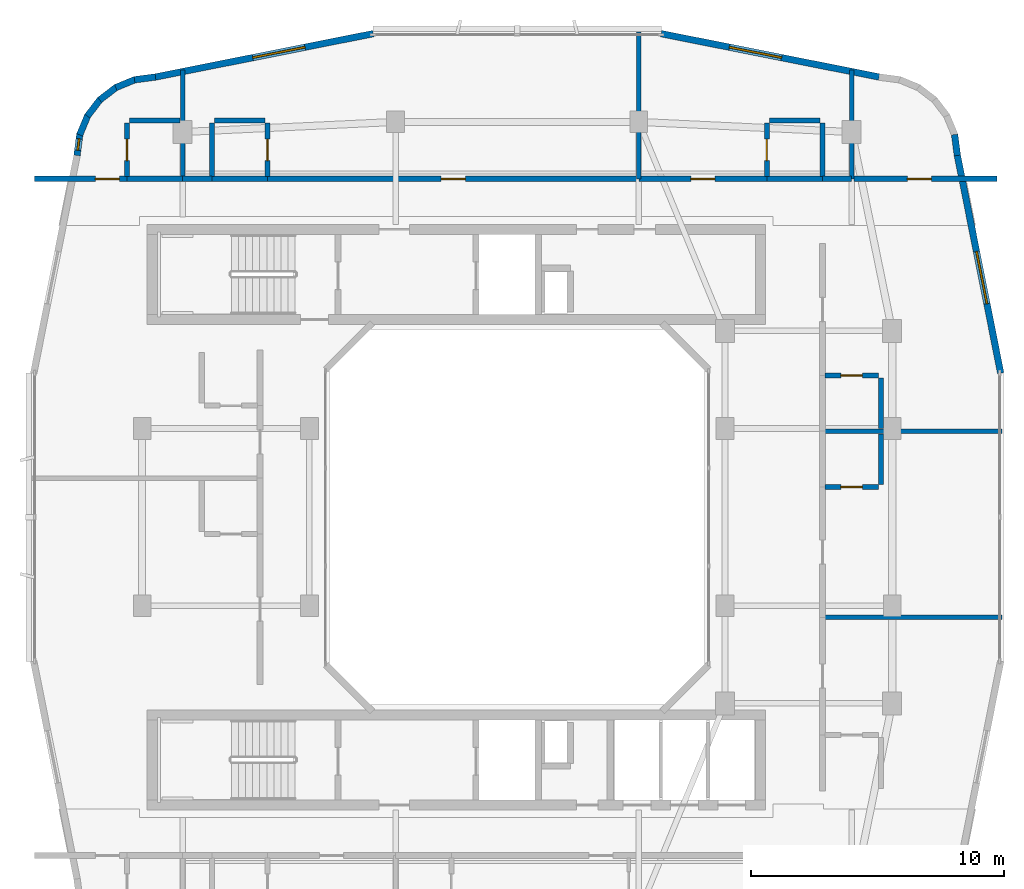
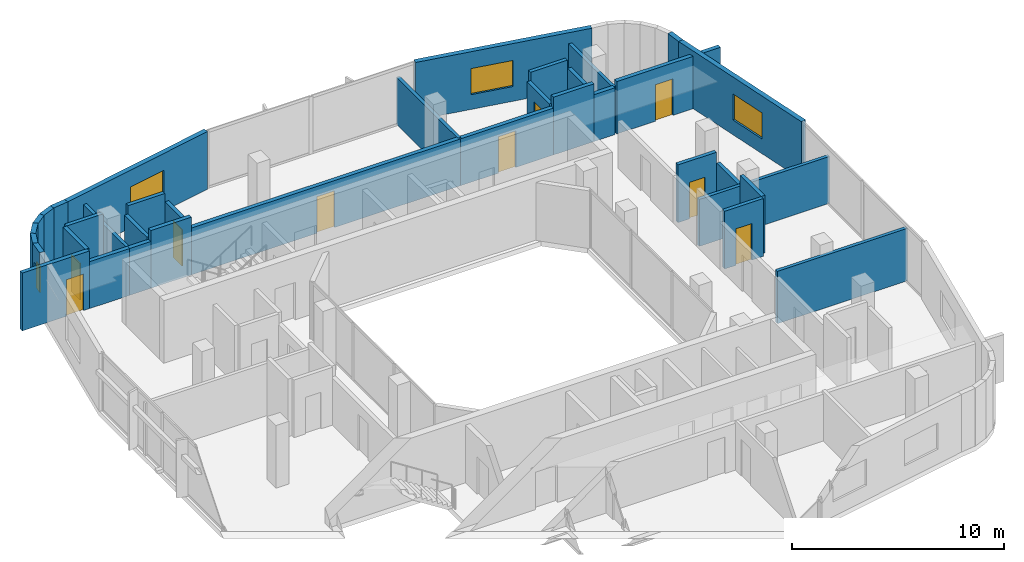
# One storey, part 9 of 14: 36 walls, 9 doors, 4 windows, 13 openings.
"""IFC4 building model written with IfcOpenShell, lengths in metres."""

from ifc_helpers import new_model, si_unit, derived_unit, direction, frame, frame_2d, origin, place, context, subcontext, project, spatial, rectangle, extrude, material, layer, layer_set, type_object, element, fill, save


model = new_model("IFC4")

# Units and contexts
model_context = context("Model", 3, precision=1e-05, world=origin(), true_north=direction((0.0, 1.0)))
body_context = subcontext(model_context, "Body", "Model", "MODEL_VIEW")
ifc_project = project(units=[si_unit("LENGTHUNIT", "METRE"), si_unit("AREAUNIT", "SQUARE_METRE"), si_unit("VOLUMEUNIT", "CUBIC_METRE"), si_unit("PLANEANGLEUNIT", "RADIAN"), si_unit("MASSUNIT", "GRAM", prefix="KILO"), derived_unit("THERMALTRANSMITTANCEUNIT", [(si_unit("POWERUNIT", "WATT"), 1), (si_unit("LENGTHUNIT", "METRE"), -2), (si_unit("THERMODYNAMICTEMPERATUREUNIT", "KELVIN"), -1)])], contexts=[model_context])

# Site, building, storey
site_placement = place(None, origin())
site = spatial("IfcSite", under=ifc_project, at=site_placement, CompositionType="ELEMENT")
building_placement = place(site_placement, origin())
building = spatial("IfcBuilding", under=site, at=building_placement, Name="Kivonza Crest Hotel", CompositionType="ELEMENT")
storey_placement = place(building_placement, frame((0.0, 0.0, 202.699951171875)))
storey = spatial("IfcBuildingStorey", under=building, at=storey_placement, Name="L55", CompositionType="ELEMENT", Elevation=202.699951171875)

# Walls
ifc_material_1 = material(Name="High-density acoustic masonry inter-tenancy wall", Category="masonry")
ifc_layer_1 = layer(ifc_material_1, 0.179931640625)
ifc_layer_set_1 = layer_set([ifc_layer_1], Name="High-density acoustic masonry inter-tenancy wall")
wall_type_1 = type_object("IfcWallType", Name="WL-ACOU-180", PredefinedType="SOLIDWALL", material=ifc_layer_set_1)
wall_1_placement = place(storey_placement, frame((7.800048828125, 38.35009765625, 0.0), z_axis=(0.0, 0.0, 1.0), x_axis=(0.0, 1.0, 0.0)))
element("IfcWall", 1, at=wall_1_placement, inside=storey, type_object=wall_type_1, Name="L55 interior partition WA-L55-T1N-DIV1", PredefinedType="SOLIDWALL", context=body_context, shape_type="SweptSolid", body=[
    extrude(rectangle(XDim=4.307861328125, YDim=0.179931640625, at=frame_2d((2.15380859375, 0.0))), origin(), (0.0, 0.0, 1.0), 2.695068359375),
])
wall_2_placement = place(storey_placement, frame((25.800048828125, 38.35009765625, 0.0), z_axis=(0.0, 0.0, 1.0), x_axis=(0.0, 1.0, 0.0)))
element("IfcWall", 2, at=wall_2_placement, inside=storey, type_object=wall_type_1, Name="L55 interior partition WA-L55-T1N-DIV2", PredefinedType="SOLIDWALL", context=body_context, shape_type="SweptSolid", body=[
    extrude(rectangle(XDim=5.789794921875, YDim=0.179931640625, at=frame_2d((2.89501953125, 0.0))), origin(), (0.0, 0.0, 1.0), 2.695068359375),
])
wall_3_placement = place(storey_placement, frame((34.199951171875, 38.35009765625, 0.0), z_axis=(0.0, 0.0, 1.0), x_axis=(0.0, 1.0, 0.0)))
element("IfcWall", 3, at=wall_3_placement, inside=storey, type_object=wall_type_1, Name="L55 interior partition WA-L55-T1N-DIV3", PredefinedType="SOLIDWALL", context=body_context, shape_type="SweptSolid", body=[
    extrude(rectangle(XDim=4.307861328125, YDim=0.179931640625, at=frame_2d((2.15380859375, 0.0))), origin(), (0.0, 0.0, 1.0), 2.695068359375),
])
wall_4_placement = place(storey_placement, frame((33.050048828125, 21.049072265625, 0.0), z_axis=(0.0, 0.0, 1.0), x_axis=(1.0, 0.0, 0.0)))
element("IfcWall", 4, at=wall_4_placement, inside=storey, type_object=wall_type_1, Name="L55 interior partition WA-L55-T1E-DIV1", PredefinedType="SOLIDWALL", context=body_context, shape_type="SweptSolid", body=[
    extrude(rectangle(XDim=7.08984375, YDim=0.179931640625, at=frame_2d((3.544921875, 0.0))), origin(), (0.0, 0.0, 1.0), 3.01513671875),
])
wall_5_placement = place(storey_placement, frame((33.050048828125, 28.39306640625, 0.0), z_axis=(0.0, 0.0, 1.0), x_axis=(1.0, 0.0, 0.0)))
element("IfcWall", 5, at=wall_5_placement, inside=storey, type_object=wall_type_1, Name="L55 interior partition WA-L55-T1E-DIV2", PredefinedType="SOLIDWALL", context=body_context, shape_type="SweptSolid", body=[
    extrude(rectangle(XDim=7.08984375, YDim=0.179931640625, at=frame_2d((3.544921875, 0.0))), origin(), (0.0, 0.0, 1.0), 2.695068359375),
])
ifc_material_2 = material(Name="Autoclaved aerated concrete blockwork", Category="masonry")
ifc_layer_2 = layer(ifc_material_2, 0.219970703125)
ifc_layer_set_2 = layer_set([ifc_layer_2], Name="Autoclaved aerated concrete blockwork")
wall_type_2 = type_object("IfcWallType", Name="WL-ACOU-220", PredefinedType="SOLIDWALL", material=ifc_layer_set_2)
wall_6_placement = place(storey_placement, frame((5.60009765625, 38.35009765625, 0.0), z_axis=(0.0, 0.0, 1.0), x_axis=(1.0, 0.0, 0.0)))
element("IfcWall", 6, at=wall_6_placement, inside=storey, type_object=wall_type_2, Name="L55 interior partition WA-L55-N01-BCORR", PredefinedType="SOLIDWALL", context=body_context, shape_type="SweptSolid", body=[
    extrude(rectangle(XDim=2.199951171875, YDim=0.219970703125, at=frame_2d((1.10009765625, 0.0))), origin(), (0.0, 0.0, 1.0), 2.695068359375),
])

# Wall, opening, door
wall_7_placement = place(storey_placement, frame((1.9599609375, 38.35009765625, 0.0), z_axis=(0.0, 0.0, 1.0), x_axis=(1.0, 0.0, 0.0)))
wall_7 = element("IfcWall", 7, at=wall_7_placement, inside=storey, type_object=wall_type_2, Name="L55 interior partition WA-L55-N01-MCORR", PredefinedType="SOLIDWALL", context=body_context, shape_type="SweptSolid", body=[
    extrude(rectangle(XDim=3.64013671875, YDim=0.219970703125, at=frame_2d((1.820068359375, 0.0))), origin(), (0.0, 0.0, 1.0), 3.320068359375),
])
opening_1_placement = place(wall_7_placement, frame((2.389892578125, 0.0, 0.0)))
opening_1 = element("IfcOpeningElement", 8, at=opening_1_placement, cuts=wall_7, Name="Opening DU-60", PredefinedType="OPENING", context=body_context, shape_type="SweptSolid", body=[
    extrude(rectangle(XDim=0.949951171875, YDim=2.10009765625, at=frame_2d((0.47509765625, 1.050048828125))), frame((0.0, 0.1201171875, 0.0), z_axis=(0.0, -1.0, 0.0), x_axis=(1.0, 0.0, 0.0)), (0.0, 0.0, 1.0), 0.239990234375),
])
ifc_material_3 = material(Name="Hardwood timber oak", Category="wood")
door_type_1 = type_object("IfcDoorType", Name="DR-UNIT-950", OperationType="NOTDEFINED", PredefinedType="DOOR", material=ifc_material_3)
door_1_placement = place(opening_1_placement, origin())
door_1 = element("IfcDoor", 9, at=door_1_placement, inside=storey, type_object=door_type_1, Name="L55 N01 guest unit entrance fire door", OperationType="SINGLE_SWING_LEFT", OverallHeight=2.10009765625, OverallWidth=0.949951171875, PredefinedType="DOOR", context=body_context, shape_type="SweptSolid", body=[
    extrude(rectangle(XDim=0.949951171875, YDim=2.10009765625, at=frame_2d((0.47509765625, 1.050048828125))), frame((0.0, 0.02490234375, 0.0), z_axis=(0.0, -1.0, 0.0), x_axis=(1.0, 0.0, 0.0)), (0.0, 0.0, 1.0), 0.050048828125),
])
fill(opening_1, door_1)

# Walls
wall_8_placement = place(storey_placement, frame((7.800048828125, 38.35009765625, 0.0), z_axis=(0.0, 0.0, 1.0), x_axis=(1.0, 0.0, 0.0)))
element("IfcWall", 10, at=wall_8_placement, inside=storey, type_object=wall_type_2, Name="L55 interior partition WA-L55-N02-XCORR", PredefinedType="SOLIDWALL", context=body_context, shape_type="SweptSolid", body=[
    extrude(rectangle(XDim=1.14990234375, YDim=0.219970703125, at=frame_2d((0.574951171875, 0.0))), origin(), (0.0, 0.0, 1.0), 2.695068359375),
])
wall_9_placement = place(storey_placement, frame((8.949951171875, 38.35009765625, 0.0), z_axis=(0.0, 0.0, 1.0), x_axis=(1.0, 0.0, 0.0)))
element("IfcWall", 11, at=wall_9_placement, inside=storey, type_object=wall_type_2, Name="L55 interior partition WA-L55-N02-BCORR", PredefinedType="SOLIDWALL", context=body_context, shape_type="SweptSolid", body=[
    extrude(rectangle(XDim=2.199951171875, YDim=0.219970703125, at=frame_2d((1.10009765625, 0.0))), origin(), (0.0, 0.0, 1.0), 3.320068359375),
])

# Wall, opening, door
wall_10_placement = place(storey_placement, frame((11.14990234375, 38.35009765625, 0.0), z_axis=(0.0, 0.0, 1.0), x_axis=(1.0, 0.0, 0.0)))
wall_10 = element("IfcWall", 12, at=wall_10_placement, inside=storey, type_object=wall_type_2, Name="L55 interior partition WA-L55-N02-MCORR", PredefinedType="SOLIDWALL", context=body_context, shape_type="SweptSolid", body=[
    extrude(rectangle(XDim=14.650146484375, YDim=0.219970703125, at=frame_2d((7.3251953125, 0.0))), origin(), (0.0, 0.0, 1.0), 2.695068359375),
])
opening_2_placement = place(wall_10_placement, frame((6.85009765625, 0.0, 0.0)))
opening_2 = element("IfcOpeningElement", 13, at=opening_2_placement, cuts=wall_10, Name="Opening DU-60", PredefinedType="OPENING", context=body_context, shape_type="SweptSolid", body=[
    extrude(rectangle(XDim=0.949951171875, YDim=2.10009765625, at=frame_2d((0.47509765625, 1.050048828125))), frame((0.0, 0.1201171875, 0.0), z_axis=(0.0, -1.0, 0.0), x_axis=(1.0, 0.0, 0.0)), (0.0, 0.0, 1.0), 0.239990234375),
])
door_2_placement = place(opening_2_placement, origin())
door_2 = element("IfcDoor", 14, at=door_2_placement, inside=storey, type_object=door_type_1, Name="L55 N02 guest unit entrance fire door", OperationType="SINGLE_SWING_RIGHT", OverallHeight=2.10009765625, OverallWidth=0.949951171875, PredefinedType="DOOR", context=body_context, shape_type="SweptSolid", body=[
    extrude(rectangle(XDim=0.949951171875, YDim=2.10009765625, at=frame_2d((0.47509765625, 1.050048828125))), frame((0.0, 0.02490234375, 0.0), z_axis=(0.0, -1.0, 0.0), x_axis=(1.0, 0.0, 0.0)), (0.0, 0.0, 1.0), 0.050048828125),
])
fill(opening_2, door_2)

# Walls
wall_11_placement = place(storey_placement, frame((33.050048828125, 38.35009765625, 0.0), z_axis=(0.0, 0.0, 1.0), x_axis=(1.0, 0.0, 0.0)))
element("IfcWall", 15, at=wall_11_placement, inside=storey, type_object=wall_type_2, Name="L55 interior partition WA-L55-N03-XCORR", PredefinedType="SOLIDWALL", context=body_context, shape_type="SweptSolid", body=[
    extrude(rectangle(XDim=1.14990234375, YDim=0.219970703125, at=frame_2d((0.574951171875, 0.0))), origin(), (0.0, 0.0, 1.0), 2.695068359375),
])
wall_12_placement = place(storey_placement, frame((30.85009765625, 38.35009765625, 0.0), z_axis=(0.0, 0.0, 1.0), x_axis=(1.0, 0.0, 0.0)))
element("IfcWall", 16, at=wall_12_placement, inside=storey, type_object=wall_type_2, Name="L55 interior partition WA-L55-N03-BCORR", PredefinedType="SOLIDWALL", context=body_context, shape_type="SweptSolid", body=[
    extrude(rectangle(XDim=2.199951171875, YDim=0.219970703125, at=frame_2d((1.10009765625, 0.0))), origin(), (0.0, 0.0, 1.0), 3.320068359375),
])

# Wall, opening, door
wall_13_placement = place(storey_placement, frame((25.800048828125, 38.35009765625, 0.0), z_axis=(0.0, 0.0, 1.0), x_axis=(1.0, 0.0, 0.0)))
wall_13 = element("IfcWall", 17, at=wall_13_placement, inside=storey, type_object=wall_type_2, Name="L55 interior partition WA-L55-N03-MCORR", PredefinedType="SOLIDWALL", context=body_context, shape_type="SweptSolid", body=[
    extrude(rectangle(XDim=5.050048828125, YDim=0.219970703125, at=frame_2d((2.52490234375, 0.0))), origin(), (0.0, 0.0, 1.0), 2.695068359375),
])
opening_3_placement = place(wall_13_placement, frame((2.050048828125, 0.0, 0.0)))
opening_3 = element("IfcOpeningElement", 18, at=opening_3_placement, cuts=wall_13, Name="Opening DU-60", PredefinedType="OPENING", context=body_context, shape_type="SweptSolid", body=[
    extrude(rectangle(XDim=0.949951171875, YDim=2.10009765625, at=frame_2d((0.47509765625, 1.050048828125))), frame((0.0, 0.1201171875, 0.0), z_axis=(0.0, -1.0, 0.0), x_axis=(1.0, 0.0, 0.0)), (0.0, 0.0, 1.0), 0.239990234375),
])
door_3_placement = place(opening_3_placement, origin())
door_3 = element("IfcDoor", 19, at=door_3_placement, inside=storey, type_object=door_type_1, Name="L55 N03 guest unit entrance fire door", OperationType="SINGLE_SWING_LEFT", OverallHeight=2.10009765625, OverallWidth=0.949951171875, PredefinedType="DOOR", context=body_context, shape_type="SweptSolid", body=[
    extrude(rectangle(XDim=0.949951171875, YDim=2.10009765625, at=frame_2d((0.47509765625, 1.050048828125))), frame((0.0, 0.02490234375, 0.0), z_axis=(0.0, -1.0, 0.0), x_axis=(1.0, 0.0, 0.0)), (0.0, 0.0, 1.0), 0.050048828125),
])
fill(opening_3, door_3)

wall_14_placement = place(storey_placement, frame((34.300048828125, 38.35009765625, 0.0), z_axis=(0.0, 0.0, 1.0), x_axis=(1.0, 0.0, 0.0)))
wall_14 = element("IfcWall", 20, at=wall_14_placement, inside=storey, type_object=wall_type_2, Name="L55 interior partition WA-L55-N-AMEN-S", PredefinedType="SOLIDWALL", context=body_context, shape_type="SweptSolid", body=[
    extrude(rectangle(XDim=5.639892578125, YDim=0.219970703125, at=frame_2d((2.81982421875, 0.0))), origin(), (0.0, 0.0, 1.0), 3.01513671875),
])
opening_4_placement = place(wall_14_placement, frame((2.10009765625, 0.0, 0.0)))
opening_4 = element("IfcOpeningElement", 21, at=opening_4_placement, cuts=wall_14, Name="Opening DF-60S", PredefinedType="OPENING", context=body_context, shape_type="SweptSolid", body=[
    extrude(rectangle(XDim=0.949951171875, YDim=2.10009765625, at=frame_2d((0.47509765625, 1.050048828125))), frame((0.0, 0.1201171875, 0.0), z_axis=(0.0, -1.0, 0.0), x_axis=(1.0, 0.0, 0.0)), (0.0, 0.0, 1.0), 0.239990234375),
])
door_type_2 = type_object("IfcDoorType", Name="DR-FD60-950", OperationType="NOTDEFINED", PredefinedType="DOOR", material=ifc_material_3)
door_4_placement = place(opening_4_placement, origin())
door_4 = element("IfcDoor", 22, at=door_4_placement, inside=storey, type_object=door_type_2, Name="L55 Guest Business Office door", OperationType="SINGLE_SWING_LEFT", OverallHeight=2.10009765625, OverallWidth=0.949951171875, PredefinedType="DOOR", context=body_context, shape_type="SweptSolid", body=[
    extrude(rectangle(XDim=0.949951171875, YDim=2.10009765625, at=frame_2d((0.47509765625, 1.050048828125))), frame((0.0, 0.02490234375, 0.0), z_axis=(0.0, -1.0, 0.0), x_axis=(1.0, 0.0, 0.0)), (0.0, 0.0, 1.0), 0.050048828125),
])
fill(opening_4, door_4)

# Wall, opening, window
ifc_material_4 = material(Name="Precast concrete C40/50", Category="concrete")
ifc_layer_3 = layer(ifc_material_4, 0.260009765625)
ifc_layer_set_3 = layer_set([ifc_layer_3], Name="Precast concrete C40/50")
wall_type_3 = type_object("IfcWallType", Name="WL-EXT-260", PredefinedType="STANDARD", material=ifc_layer_set_3)
wall_15_placement = place(storey_placement, frame((40.083984375, 30.680908203125, 0.0), z_axis=(0.0, 0.0, 1.0), x_axis=(-0.195291715883, 0.980745199176, 0.0)))
wall_15 = element("IfcWall", 23, at=wall_15_placement, inside=storey, type_object=wall_type_3, Name="L55 T1 exterior insulated wall 18", PredefinedType="STANDARD", context=body_context, shape_type="SweptSolid", body=[
    extrude(rectangle(XDim=8.77099609375, YDim=0.260009765625, at=frame_2d((4.385498046875, 0.0))), origin(), (0.0, 0.0, 1.0), 3.320068359375),
])
opening_5_placement = place(wall_15_placement, frame((2.798095703125, 0.0, 0.85009765625)))
opening_5 = element("IfcOpeningElement", 24, at=opening_5_placement, cuts=wall_15, Name="Opening WN-04", PredefinedType="OPENING", context=body_context, shape_type="SweptSolid", body=[
    extrude(rectangle(XDim=2.10009765625, YDim=1.5, at=frame_2d((1.050048828125, 0.75))), frame((0.0, 0.14013671875, 0.0), z_axis=(0.0, -1.0, 0.0), x_axis=(1.0, 0.0, 0.0)), (0.0, 0.0, 1.0), 0.280029296875),
])
ifc_material_5 = material(Name="Thermally broken bronze aluminium and low-E double glazing", Category="aluminium")
window_type_1 = type_object("IfcWindowType", Name="WN-210x150", PartitioningType="DOUBLE_PANEL_VERTICAL", PredefinedType="WINDOW", material=ifc_material_5)
window_1_placement = place(opening_5_placement, origin())
window_1 = element("IfcWindow", 25, at=window_1_placement, inside=storey, type_object=window_type_1, Name="L55 T1 facade window 18", OverallHeight=1.5, OverallWidth=2.10009765625, PartitioningType="SINGLE_PANEL", PredefinedType="WINDOW", context=body_context, shape_type="SweptSolid", body=[
    extrude(rectangle(XDim=2.10009765625, YDim=1.5, at=frame_2d((1.050048828125, 0.75))), frame((0.0, 0.030029296875, 0.0), z_axis=(0.0, -1.0, 0.0), x_axis=(1.0, 0.0, 0.0)), (0.0, 0.0, 1.0), 0.06005859375),
])
fill(opening_5, window_1)

# Wall
wall_16_placement = place(storey_placement, frame((38.3720703125, 39.27490234375, 0.0), z_axis=(0.0, 0.0, 1.0), x_axis=(-0.130954667764, 0.9913883573, 0.0)))
element("IfcWall", 26, at=wall_16_placement, inside=storey, type_object=wall_type_3, Name="L55 T1 exterior insulated wall 19", PredefinedType="STANDARD", context=body_context, shape_type="SweptSolid", body=[
    extrude(rectangle(XDim=0.833251953125, YDim=0.260009765625, at=frame_2d((0.41650390625, 0.0))), origin(), (0.0, 0.0, 1.0), 3.320068359375),
])

# Wall, opening, window
wall_17_placement = place(storey_placement, frame((35.282958984375, 42.37109375, 0.0), z_axis=(0.0, 0.0, 1.0), x_axis=(-0.980745199176, 0.195291715883, 0.0)))
wall_17 = element("IfcWall", 27, at=wall_17_placement, inside=storey, type_object=wall_type_3, Name="L55 T1 exterior insulated wall 25", PredefinedType="STANDARD", context=body_context, shape_type="SweptSolid", body=[
    extrude(rectangle(XDim=8.77099609375, YDim=0.260009765625, at=frame_2d((4.385498046875, 0.0))), origin(), (0.0, 0.0, 1.0), 3.320068359375),
])
opening_6_placement = place(wall_17_placement, frame((3.925048828125, 0.0, 0.85009765625)))
opening_6 = element("IfcOpeningElement", 28, at=opening_6_placement, cuts=wall_17, Name="Opening WN-04", PredefinedType="OPENING", context=body_context, shape_type="SweptSolid", body=[
    extrude(rectangle(XDim=2.10009765625, YDim=1.5, at=frame_2d((1.050048828125, 0.75))), frame((0.0, 0.14013671875, 0.0), z_axis=(0.0, -1.0, 0.0), x_axis=(1.0, 0.0, 0.0)), (0.0, 0.0, 1.0), 0.280029296875),
])
window_2_placement = place(opening_6_placement, origin())
window_2 = element("IfcWindow", 29, at=window_2_placement, inside=storey, type_object=window_type_1, Name="L55 T1 facade window 25", OverallHeight=1.5, OverallWidth=2.10009765625, PartitioningType="SINGLE_PANEL", PredefinedType="WINDOW", context=body_context, shape_type="SweptSolid", body=[
    extrude(rectangle(XDim=2.10009765625, YDim=1.5, at=frame_2d((1.050048828125, 0.75))), frame((0.0, 0.030029296875, 0.0), z_axis=(0.0, -1.0, 0.0), x_axis=(1.0, 0.0, 0.0)), (0.0, 0.0, 1.0), 0.06005859375),
])
fill(opening_6, window_2)

wall_18_placement = place(storey_placement, frame((15.319091796875, 44.083984375, 0.0), z_axis=(0.0, 0.0, 1.0), x_axis=(-0.980745199176, -0.195291715883, 0.0)))
wall_18 = element("IfcWall", 30, at=wall_18_placement, inside=storey, type_object=wall_type_3, Name="L55 T1 exterior insulated wall 27", PredefinedType="STANDARD", context=body_context, shape_type="SweptSolid", body=[
    extrude(rectangle(XDim=8.77099609375, YDim=0.260009765625, at=frame_2d((4.385498046875, 0.0))), origin(), (0.0, 0.0, 1.0), 3.320068359375),
])
opening_7_placement = place(wall_18_placement, frame((2.74609375, 0.0, 0.85009765625)))
opening_7 = element("IfcOpeningElement", 31, at=opening_7_placement, cuts=wall_18, Name="Opening WN-04", PredefinedType="OPENING", context=body_context, shape_type="SweptSolid", body=[
    extrude(rectangle(XDim=2.10009765625, YDim=1.5, at=frame_2d((1.050048828125, 0.75))), frame((0.0, 0.14013671875, 0.0), z_axis=(0.0, -1.0, 0.0), x_axis=(1.0, 0.0, 0.0)), (0.0, 0.0, 1.0), 0.280029296875),
])
window_3_placement = place(opening_7_placement, origin())
window_3 = element("IfcWindow", 32, at=window_3_placement, inside=storey, type_object=window_type_1, Name="L55 T1 facade window 27", OverallHeight=1.5, OverallWidth=2.10009765625, PartitioningType="SINGLE_PANEL", PredefinedType="WINDOW", context=body_context, shape_type="SweptSolid", body=[
    extrude(rectangle(XDim=2.10009765625, YDim=1.5, at=frame_2d((1.050048828125, 0.75))), frame((0.0, 0.030029296875, 0.0), z_axis=(0.0, -1.0, 0.0), x_axis=(1.0, 0.0, 0.0)), (0.0, 0.0, 1.0), 0.06005859375),
])
fill(opening_7, window_3)

# Walls
wall_19_placement = place(storey_placement, frame((6.72509765625, 42.3720703125, 0.0), z_axis=(0.0, 0.0, 1.0), x_axis=(-0.9913883573, -0.130954667764, 0.0)))
element("IfcWall", 33, at=wall_19_placement, inside=storey, type_object=wall_type_3, Name="L55 T1 exterior insulated wall 28", PredefinedType="STANDARD", context=body_context, shape_type="SweptSolid", body=[
    extrude(rectangle(XDim=0.833251953125, YDim=0.260009765625, at=frame_2d((0.41650390625, 0.0))), origin(), (0.0, 0.0, 1.0), 3.320068359375),
])
wall_20_placement = place(storey_placement, frame((5.945068359375, 42.281005859375, 0.0), z_axis=(0.0, 0.0, 1.0), x_axis=(-0.923754491172, -0.382985169477, 0.0)))
element("IfcWall", 34, at=wall_20_placement, inside=storey, type_object=wall_type_3, Name="L55 T1 exterior insulated wall 29", PredefinedType="STANDARD", context=body_context, shape_type="SweptSolid", body=[
    extrude(rectangle(XDim=0.85107421875, YDim=0.260009765625, at=frame_2d((0.425537109375, 0.0))), origin(), (0.0, 0.0, 1.0), 3.320068359375),
])
for number, where, z_axis, x_axis, name in (
    (35, (5.198974609375, 41.98291015625, 0.0), (0.0, 0.0, 1.0), (-0.793999057278, -0.607918988881, 0.0), "L55 T1 exterior insulated wall 30"),
    (36, (4.554931640625, 41.50390625, 0.0), (0.0, 0.0, 1.0), (-0.608057619941, -0.793892896323, 0.0), "L55 T1 exterior insulated wall 31"),
):
    element("IfcWall", number, at=place(storey_placement, frame(where, z_axis=z_axis, x_axis=x_axis)), inside=storey, type_object=wall_type_3, Name=name, PredefinedType="STANDARD", context=body_context, shape_type="SweptSolid", body=[
        extrude(rectangle(XDim=0.85009765625, YDim=0.260009765625, at=frame_2d((0.425048828125, 0.0))), origin(), (0.0, 0.0, 1.0), 3.320068359375),
    ])
wall_21_placement = place(storey_placement, frame((4.05908203125, 40.873046875, 0.0), z_axis=(0.0, 0.0, 1.0), x_axis=(-0.383229930484, -0.923652976167, 0.0)))
element("IfcWall", 37, at=wall_21_placement, inside=storey, type_object=wall_type_3, Name="L55 T1 exterior insulated wall 32", PredefinedType="STANDARD", context=body_context, shape_type="SweptSolid", body=[
    extrude(rectangle(XDim=0.85107421875, YDim=0.260009765625, at=frame_2d((0.425537109375, 0.0))), origin(), (0.0, 0.0, 1.0), 3.320068359375),
])

# Wall, opening, window
wall_22_placement = place(storey_placement, frame((3.740966796875, 40.135986328125, 0.0), z_axis=(0.0, 0.0, 1.0), x_axis=(-0.130156359936, -0.991493480548, 0.0)))
wall_22 = element("IfcWall", 38, at=wall_22_placement, inside=storey, type_object=wall_type_3, Name="L55 T1 exterior insulated wall 33", PredefinedType="STANDARD", context=body_context, shape_type="SweptSolid", body=[
    extrude(rectangle(XDim=0.868408203125, YDim=0.260009765625, at=frame_2d((0.43408203125, 0.0))), origin(), (0.0, 0.0, 1.0), 3.320068359375),
])
opening_8_placement = place(wall_22_placement, frame((0.208984375, 0.0, 0.85009765625)))
opening_8 = element("IfcOpeningElement", 39, at=opening_8_placement, cuts=wall_22, Name="Opening WN-11", PredefinedType="OPENING", context=body_context, shape_type="SweptSolid", body=[
    extrude(rectangle(XDim=0.449951171875, YDim=1.5, at=frame_2d((0.22509765625, 0.75))), frame((0.0, 0.14013671875, 0.0), z_axis=(0.0, -1.0, 0.0), x_axis=(1.0, 0.0, 0.0)), (0.0, 0.0, 1.0), 0.280029296875),
])
window_type_2 = type_object("IfcWindowType", Name="WN-045x150", PartitioningType="SINGLE_PANEL", PredefinedType="WINDOW", material=ifc_material_5)
window_4_placement = place(opening_8_placement, origin())
window_4 = element("IfcWindow", 40, at=window_4_placement, inside=storey, type_object=window_type_2, Name="L55 corner vision window 1", OverallHeight=1.5, OverallWidth=0.449951171875, PartitioningType="SINGLE_PANEL", PredefinedType="WINDOW", context=body_context, shape_type="SweptSolid", body=[
    extrude(rectangle(XDim=0.449951171875, YDim=1.5, at=frame_2d((0.22509765625, 0.75))), frame((0.0, 0.030029296875, 0.0), z_axis=(0.0, -1.0, 0.0), x_axis=(1.0, 0.0, 0.0)), (0.0, 0.0, 1.0), 0.06005859375),
])
fill(opening_8, window_4)

# Wall, opening, door
ifc_material_6 = material(Name="Moisture-resistant plumbing chase partition wall", Category="gypsum")
ifc_layer_4 = layer(ifc_material_6, 0.199951171875)
ifc_layer_set_4 = layer_set([ifc_layer_4], Name="Moisture-resistant plumbing chase partition wall")
wall_type_4 = type_object("IfcWallType", Name="WL-PLUMB-200", PredefinedType="PLUMBINGWALL", material=ifc_layer_set_4)
wall_23_placement = place(storey_placement, frame((5.60009765625, 38.449951171875, 0.0), z_axis=(0.0, 0.0, 1.0), x_axis=(0.0, 1.0, 0.0)))
wall_23 = element("IfcWall", 41, at=wall_23_placement, inside=storey, type_object=wall_type_4, Name="L55 interior partition WW-L55-N01-BV", PredefinedType="PLUMBINGWALL", context=body_context, shape_type="SweptSolid", body=[
    extrude(rectangle(XDim=2.10009765625, YDim=0.199951171875, at=frame_2d((1.050048828125, 0.0))), origin(), (0.0, 0.0, 1.0), 3.320068359375),
])
opening_9_placement = place(wall_23_placement, frame((0.625, 0.0, 0.0)))
opening_9 = element("IfcOpeningElement", 42, at=opening_9_placement, cuts=wall_23, Name="Opening DI-85", PredefinedType="OPENING", context=body_context, shape_type="SweptSolid", body=[
    extrude(rectangle(XDim=0.85009765625, YDim=2.10009765625, at=frame_2d((0.425048828125, 1.050048828125))), frame((0.0, 0.10986328125, 0.0), z_axis=(0.0, -1.0, 0.0), x_axis=(1.0, 0.0, 0.0)), (0.0, 0.0, 1.0), 0.219970703125),
])
door_type_3 = type_object("IfcDoorType", Name="DR-INT-850", OperationType="NOTDEFINED", PredefinedType="DOOR", material=ifc_material_3)
door_5_placement = place(opening_9_placement, origin())
door_5 = element("IfcDoor", 43, at=door_5_placement, inside=storey, type_object=door_type_3, Name="L55 N01 en-suite bathroom door", OperationType="SINGLE_SWING_RIGHT", OverallHeight=2.10009765625, OverallWidth=0.85009765625, PredefinedType="DOOR", context=body_context, shape_type="SweptSolid", body=[
    extrude(rectangle(XDim=0.85009765625, YDim=2.10009765625, at=frame_2d((0.425048828125, 1.050048828125))), frame((0.0, 0.02490234375, 0.0), z_axis=(0.0, -1.0, 0.0), x_axis=(1.0, 0.0, 0.0)), (0.0, 0.0, 1.0), 0.050048828125),
])
fill(opening_9, door_5)

# Wall
wall_24_placement = place(storey_placement, frame((5.699951171875, 40.64990234375, 0.0), z_axis=(0.0, 0.0, 1.0), x_axis=(1.0, 0.0, 0.0)))
element("IfcWall", 44, at=wall_24_placement, inside=storey, type_object=wall_type_4, Name="L55 interior partition WW-L55-N01-BH", PredefinedType="PLUMBINGWALL", context=body_context, shape_type="SweptSolid", body=[
    extrude(rectangle(XDim=2.0, YDim=0.199951171875, at=frame_2d((1.0, 0.0))), origin(), (0.0, 0.0, 1.0), 3.320068359375),
])

# Wall, opening, door
wall_25_placement = place(storey_placement, frame((11.14990234375, 38.449951171875, 0.0), z_axis=(0.0, 0.0, 1.0), x_axis=(0.0, 1.0, 0.0)))
wall_25 = element("IfcWall", 45, at=wall_25_placement, inside=storey, type_object=wall_type_4, Name="L55 interior partition WW-L55-N02-BV", PredefinedType="PLUMBINGWALL", context=body_context, shape_type="SweptSolid", body=[
    extrude(rectangle(XDim=2.10009765625, YDim=0.199951171875, at=frame_2d((1.050048828125, 0.0))), origin(), (0.0, 0.0, 1.0), 2.844970703125),
])
opening_10_placement = place(wall_25_placement, frame((0.625, 0.0, 0.0)))
opening_10 = element("IfcOpeningElement", 46, at=opening_10_placement, cuts=wall_25, Name="Opening DI-85", PredefinedType="OPENING", context=body_context, shape_type="SweptSolid", body=[
    extrude(rectangle(XDim=0.85009765625, YDim=2.10009765625, at=frame_2d((0.425048828125, 1.050048828125))), frame((0.0, 0.10986328125, 0.0), z_axis=(0.0, -1.0, 0.0), x_axis=(1.0, 0.0, 0.0)), (0.0, 0.0, 1.0), 0.219970703125),
])
door_6_placement = place(opening_10_placement, frame((0.85009765625, 0.0, 0.0), z_axis=(0.0, 0.0, 1.0), x_axis=(-1.0, 0.0, 0.0)))
door_6 = element("IfcDoor", 47, at=door_6_placement, inside=storey, type_object=door_type_3, Name="L55 N02 en-suite bathroom door", OperationType="SINGLE_SWING_LEFT", OverallHeight=2.10009765625, OverallWidth=0.85009765625, PredefinedType="DOOR", context=body_context, shape_type="SweptSolid", body=[
    extrude(rectangle(XDim=0.85009765625, YDim=2.10009765625, at=frame_2d((0.425048828125, 1.050048828125))), frame((0.0, 0.02490234375, 0.0), z_axis=(0.0, -1.0, 0.0), x_axis=(1.0, 0.0, 0.0)), (0.0, 0.0, 1.0), 0.050048828125),
])
fill(opening_10, door_6)

# Walls
wall_26_placement = place(storey_placement, frame((9.050048828125, 40.64990234375, 0.0), z_axis=(0.0, 0.0, 1.0), x_axis=(1.0, 0.0, 0.0)))
element("IfcWall", 48, at=wall_26_placement, inside=storey, type_object=wall_type_4, Name="L55 interior partition WW-L55-N02-BH", PredefinedType="PLUMBINGWALL", context=body_context, shape_type="SweptSolid", body=[
    extrude(rectangle(XDim=2.0, YDim=0.199951171875, at=frame_2d((1.0, 0.0))), origin(), (0.0, 0.0, 1.0), 3.320068359375),
])
wall_27_placement = place(storey_placement, frame((8.949951171875, 38.449951171875, 0.0), z_axis=(0.0, 0.0, 1.0), x_axis=(0.0, 1.0, 0.0)))
element("IfcWall", 49, at=wall_27_placement, inside=storey, type_object=wall_type_4, Name="L55 interior partition WW-L55-N02-BVW", PredefinedType="PLUMBINGWALL", context=body_context, shape_type="SweptSolid", body=[
    extrude(rectangle(XDim=2.10009765625, YDim=0.199951171875, at=frame_2d((1.050048828125, 0.0))), origin(), (0.0, 0.0, 1.0), 2.844970703125),
])

# Wall, opening, door
wall_28_placement = place(storey_placement, frame((30.85009765625, 38.449951171875, 0.0), z_axis=(0.0, 0.0, 1.0), x_axis=(0.0, 1.0, 0.0)))
wall_28 = element("IfcWall", 50, at=wall_28_placement, inside=storey, type_object=wall_type_4, Name="L55 interior partition WW-L55-N03-BV", PredefinedType="PLUMBINGWALL", context=body_context, shape_type="SweptSolid", body=[
    extrude(rectangle(XDim=2.10009765625, YDim=0.199951171875, at=frame_2d((1.050048828125, 0.0))), origin(), (0.0, 0.0, 1.0), 2.844970703125),
])
opening_11_placement = place(wall_28_placement, frame((0.625, 0.0, 0.0)))
opening_11 = element("IfcOpeningElement", 51, at=opening_11_placement, cuts=wall_28, Name="Opening DI-85", PredefinedType="OPENING", context=body_context, shape_type="SweptSolid", body=[
    extrude(rectangle(XDim=0.85009765625, YDim=2.10009765625, at=frame_2d((0.425048828125, 1.050048828125))), frame((0.0, 0.10986328125, 0.0), z_axis=(0.0, -1.0, 0.0), x_axis=(1.0, 0.0, 0.0)), (0.0, 0.0, 1.0), 0.219970703125),
])
door_7_placement = place(opening_11_placement, origin())
door_7 = element("IfcDoor", 52, at=door_7_placement, inside=storey, type_object=door_type_3, Name="L55 N03 en-suite bathroom door", OperationType="SINGLE_SWING_RIGHT", OverallHeight=2.10009765625, OverallWidth=0.85009765625, PredefinedType="DOOR", context=body_context, shape_type="SweptSolid", body=[
    extrude(rectangle(XDim=0.85009765625, YDim=2.10009765625, at=frame_2d((0.425048828125, 1.050048828125))), frame((0.0, 0.02490234375, 0.0), z_axis=(0.0, -1.0, 0.0), x_axis=(1.0, 0.0, 0.0)), (0.0, 0.0, 1.0), 0.050048828125),
])
fill(opening_11, door_7)

# Walls
wall_29_placement = place(storey_placement, frame((30.949951171875, 40.64990234375, 0.0), z_axis=(0.0, 0.0, 1.0), x_axis=(1.0, 0.0, 0.0)))
element("IfcWall", 53, at=wall_29_placement, inside=storey, type_object=wall_type_4, Name="L55 interior partition WW-L55-N03-BH", PredefinedType="PLUMBINGWALL", context=body_context, shape_type="SweptSolid", body=[
    extrude(rectangle(XDim=2.0, YDim=0.199951171875, at=frame_2d((1.0, 0.0))), origin(), (0.0, 0.0, 1.0), 3.320068359375),
])
wall_30_placement = place(storey_placement, frame((33.050048828125, 38.449951171875, 0.0), z_axis=(0.0, 0.0, 1.0), x_axis=(0.0, 1.0, 0.0)))
element("IfcWall", 54, at=wall_30_placement, inside=storey, type_object=wall_type_4, Name="L55 interior partition WW-L55-N03-BVE", PredefinedType="PLUMBINGWALL", context=body_context, shape_type="SweptSolid", body=[
    extrude(rectangle(XDim=2.10009765625, YDim=0.199951171875, at=frame_2d((1.050048828125, 0.0))), origin(), (0.0, 0.0, 1.0), 2.844970703125),
])

# Wall, opening, door
wall_31_placement = place(storey_placement, frame((33.14990234375, 26.193115234375, 0.0), z_axis=(0.0, 0.0, 1.0), x_axis=(1.0, 0.0, 0.0)))
wall_31 = element("IfcWall", 55, at=wall_31_placement, inside=storey, type_object=wall_type_4, Name="L55 interior partition WW-L55-E10-BH", PredefinedType="PLUMBINGWALL", context=body_context, shape_type="SweptSolid", body=[
    extrude(rectangle(XDim=2.10009765625, YDim=0.199951171875, at=frame_2d((1.050048828125, 0.0))), origin(), (0.0, 0.0, 1.0), 3.320068359375),
])
opening_12_placement = place(wall_31_placement, frame((0.625, 0.0, 0.0)))
opening_12 = element("IfcOpeningElement", 56, at=opening_12_placement, cuts=wall_31, Name="Opening DI-85", PredefinedType="OPENING", context=body_context, shape_type="SweptSolid", body=[
    extrude(rectangle(XDim=0.85009765625, YDim=2.10009765625, at=frame_2d((0.425048828125, 1.050048828125))), frame((0.0, 0.10986328125, 0.0), z_axis=(0.0, -1.0, 0.0), x_axis=(1.0, 0.0, 0.0)), (0.0, 0.0, 1.0), 0.219970703125),
])
door_8_placement = place(opening_12_placement, frame((0.85009765625, 0.0, 0.0), z_axis=(0.0, 0.0, 1.0), x_axis=(-1.0, 0.0, 0.0)))
door_8 = element("IfcDoor", 57, at=door_8_placement, inside=storey, type_object=door_type_3, Name="L55 E10 en-suite bathroom door", OperationType="SINGLE_SWING_LEFT", OverallHeight=2.10009765625, OverallWidth=0.85009765625, PredefinedType="DOOR", context=body_context, shape_type="SweptSolid", body=[
    extrude(rectangle(XDim=0.85009765625, YDim=2.10009765625, at=frame_2d((0.425048828125, 1.050048828125))), frame((0.0, 0.02490234375, 0.0), z_axis=(0.0, -1.0, 0.0), x_axis=(1.0, 0.0, 0.0)), (0.0, 0.0, 1.0), 0.050048828125),
])
fill(opening_12, door_8)

# Wall
wall_32_placement = place(storey_placement, frame((35.35009765625, 26.29296875, 0.0), z_axis=(0.0, 0.0, 1.0), x_axis=(0.0, 1.0, 0.0)))
element("IfcWall", 58, at=wall_32_placement, inside=storey, type_object=wall_type_4, Name="L55 interior partition WW-L55-E10-BV", PredefinedType="PLUMBINGWALL", context=body_context, shape_type="SweptSolid", body=[
    extrude(rectangle(XDim=2.0, YDim=0.199951171875, at=frame_2d((1.0, 0.0))), origin(), (0.0, 0.0, 1.0), 3.320068359375),
])

# Wall, opening, door
wall_33_placement = place(storey_placement, frame((33.14990234375, 30.593017578125, 0.0), z_axis=(0.0, 0.0, 1.0), x_axis=(1.0, 0.0, 0.0)))
wall_33 = element("IfcWall", 59, at=wall_33_placement, inside=storey, type_object=wall_type_4, Name="L55 interior partition WW-L55-E11-BH", PredefinedType="PLUMBINGWALL", context=body_context, shape_type="SweptSolid", body=[
    extrude(rectangle(XDim=2.10009765625, YDim=0.199951171875, at=frame_2d((1.050048828125, 0.0))), origin(), (0.0, 0.0, 1.0), 3.320068359375),
])
opening_13_placement = place(wall_33_placement, frame((0.625, 0.0, 0.0)))
opening_13 = element("IfcOpeningElement", 60, at=opening_13_placement, cuts=wall_33, Name="Opening DI-85", PredefinedType="OPENING", context=body_context, shape_type="SweptSolid", body=[
    extrude(rectangle(XDim=0.85009765625, YDim=2.10009765625, at=frame_2d((0.425048828125, 1.050048828125))), frame((0.0, 0.10986328125, 0.0), z_axis=(0.0, -1.0, 0.0), x_axis=(1.0, 0.0, 0.0)), (0.0, 0.0, 1.0), 0.219970703125),
])
door_9_placement = place(opening_13_placement, origin())
door_9 = element("IfcDoor", 61, at=door_9_placement, inside=storey, type_object=door_type_3, Name="L55 E11 en-suite bathroom door", OperationType="SINGLE_SWING_RIGHT", OverallHeight=2.10009765625, OverallWidth=0.85009765625, PredefinedType="DOOR", context=body_context, shape_type="SweptSolid", body=[
    extrude(rectangle(XDim=0.85009765625, YDim=2.10009765625, at=frame_2d((0.425048828125, 1.050048828125))), frame((0.0, 0.02490234375, 0.0), z_axis=(0.0, -1.0, 0.0), x_axis=(1.0, 0.0, 0.0)), (0.0, 0.0, 1.0), 0.050048828125),
])
fill(opening_13, door_9)

# Wall
wall_34_placement = place(storey_placement, frame((35.35009765625, 28.492919921875, 0.0), z_axis=(0.0, 0.0, 1.0), x_axis=(0.0, 1.0, 0.0)))
element("IfcWall", 62, at=wall_34_placement, inside=storey, type_object=wall_type_4, Name="L55 interior partition WW-L55-E11-BV", PredefinedType="PLUMBINGWALL", context=body_context, shape_type="SweptSolid", body=[
    extrude(rectangle(XDim=2.0, YDim=0.199951171875, at=frame_2d((1.0, 0.0))), origin(), (0.0, 0.0, 1.0), 2.695068359375),
])

save(model, "model.ifc")
